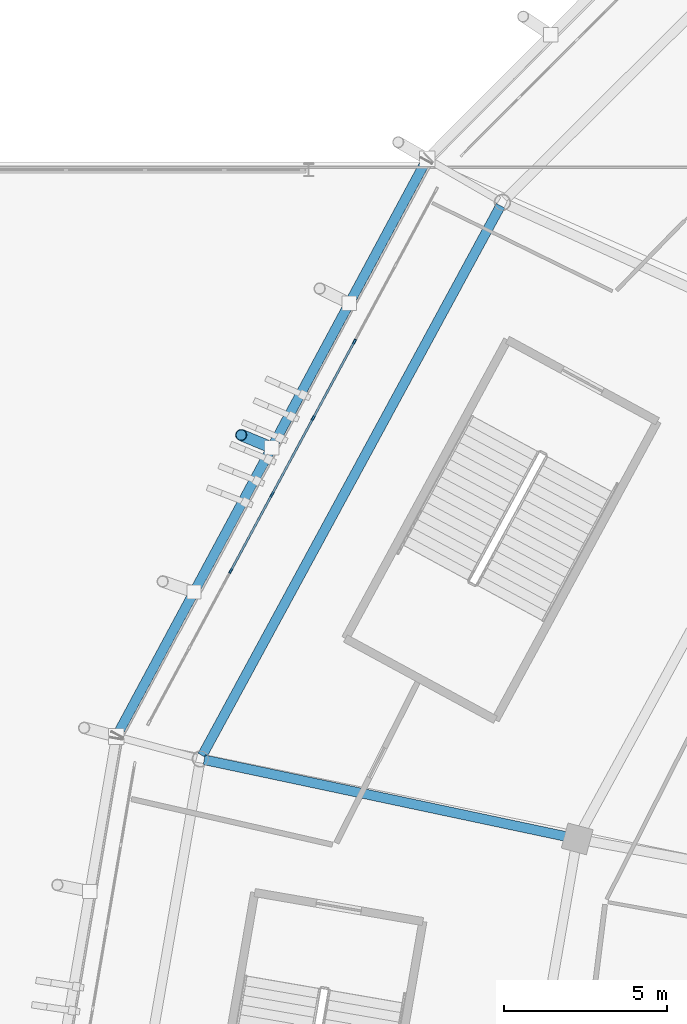
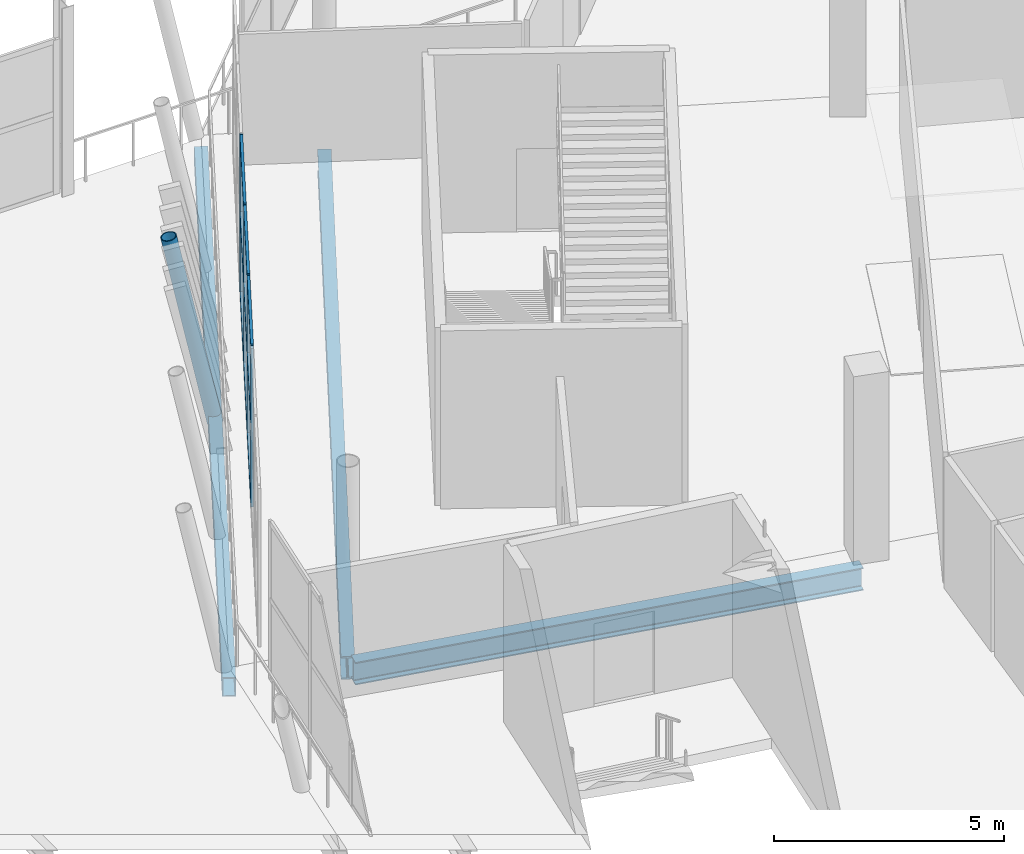
# One storey, part 44 of 179: 14 members, 3 beams, 1 element without a shape of its own.
"""IFC4 building model written with IfcOpenShell, lengths in metres."""

from ifc_helpers import new_model, si_unit, direction, frame, origin, origin_2d, place, context, subcontext, project, spatial, rectangle, hollow_rectangle, hollow_circle, i_section, extrude, material, material_profile, profile_set, type_object, element, aggregate, save


model = new_model("IFC4")

# Units and contexts
model_context = context("Model", 3, precision=1e-05, world=origin(), true_north=direction((0.0, 1.0)))
body_context = subcontext(model_context, "Body", "Model", "MODEL_VIEW")
ifc_project = project(units=[si_unit("LENGTHUNIT", "METRE"), si_unit("AREAUNIT", "SQUARE_METRE"), si_unit("VOLUMEUNIT", "CUBIC_METRE"), si_unit("PLANEANGLEUNIT", "RADIAN"), si_unit("MASSUNIT", "GRAM", prefix="KILO")], contexts=[model_context])

# Site, building, storey
site_placement = place(None, origin())
site = spatial("IfcSite", under=ifc_project, at=site_placement, CompositionType="ELEMENT")
building_placement = place(site_placement, origin())
building = spatial("IfcBuilding", under=site, at=building_placement, Name="Zlatoyarsky Gate Stadium", CompositionType="ELEMENT")
storey_placement = place(building_placement, frame((0.0, 0.0, 10.60009765625)))
storey = spatial("IfcBuildingStorey", under=building, at=storey_placement, Name="L02", CompositionType="ELEMENT", Elevation=10.60009765625)

# Curtain wall, members
ifc_material_1 = material(Name="Thermally broken anodised aluminium curtain wall", Category="aluminium")
curtain_wall_type = type_object("IfcCurtainWallType", Name="UNITISED HOSPITALITY GLAZING L02", PredefinedType="USERDEFINED", material=ifc_material_1)
curtain_wall_placement = place(storey_placement, origin())
curtain_wall = element("IfcCurtainWall", 1, at=curtain_wall_placement, inside=storey, type_object=curtain_wall_type, Name="Curtain wall CW-L02-10", ObjectType="UNITISED GLAZING", PredefinedType="USERDEFINED")
ifc_material_2 = material(Name="Anodised aluminium 6063-T6", Category="aluminium")
ifc_material_profile_1 = material_profile(ifc_material_2, rectangle(XDim=0.06494140625, YDim=0.159912109375, at=origin_2d()), Name="ALU 65X160")
ifc_profile_set_1 = profile_set([ifc_material_profile_1], Name="Anodised aluminium 6063-T6")
member_type_1 = type_object("IfcMemberType", Name="ALUMINIUM MULLION 65X160", PredefinedType="MULLION", material=ifc_profile_set_1)
member_1_placement = place(storey_placement, frame((25.905517578125, 111.214111328125, 0.0), z_axis=(0.0, 0.0, 1.0), x_axis=(0.880235853856, -0.474536449165, 0.0)))
member_1 = element("IfcMember", 2, at=member_1_placement, type_object=member_type_1, Name="CW-UG2 mullion 3", PredefinedType="MULLION", context=body_context, shape_type="SweptSolid", body=[
    extrude(rectangle(XDim=0.06494140625, YDim=0.159912109375, at=origin_2d()), origin(), (0.0, 0.0, 1.0), 4.199951171875),
])
member_2_placement = place(storey_placement, frame((24.63818359375, 108.86328125, 0.0), z_axis=(0.0, 0.0, 1.0), x_axis=(0.880235853856, -0.474536449165, 0.0)))
member_2 = element("IfcMember", 3, at=member_2_placement, type_object=member_type_1, Name="CW-UG2 mullion 4", PredefinedType="MULLION", context=body_context, shape_type="SweptSolid", body=[
    extrude(rectangle(XDim=0.06494140625, YDim=0.159912109375, at=origin_2d()), origin(), (0.0, 0.0, 1.0), 4.199951171875),
])
member_3_placement = place(storey_placement, frame((23.370849609375, 106.51220703125, 0.0), z_axis=(0.0, 0.0, 1.0), x_axis=(0.880235853856, -0.474536449165, 0.0)))
member_3 = element("IfcMember", 4, at=member_3_placement, type_object=member_type_1, Name="CW-UG2 mullion 5", PredefinedType="MULLION", context=body_context, shape_type="SweptSolid", body=[
    extrude(rectangle(XDim=0.06494140625, YDim=0.159912109375, at=origin_2d()), origin(), (0.0, 0.0, 1.0), 4.199951171875),
])
member_4_placement = place(storey_placement, frame((22.103271484375, 104.161376953125, 0.0), z_axis=(0.0, 0.0, 1.0), x_axis=(0.880235853856, -0.474536449165, 0.0)))
member_4 = element("IfcMember", 5, at=member_4_placement, type_object=member_type_1, Name="CW-UG2 mullion 6", PredefinedType="MULLION", context=body_context, shape_type="SweptSolid", body=[
    extrude(rectangle(XDim=0.06494140625, YDim=0.159912109375, at=origin_2d()), origin(), (0.0, 0.0, 1.0), 4.199951171875),
])
ifc_material_profile_2 = material_profile(ifc_material_2, rectangle(XDim=0.06494140625, YDim=0.139892578125, at=origin_2d()), Name="ALU 65X140")
ifc_profile_set_2 = profile_set([ifc_material_profile_2], Name="Anodised aluminium 6063-T6")
member_type_2 = type_object("IfcMemberType", Name="ALUMINIUM TRANSOM 65X140", PredefinedType="USERDEFINED", material=ifc_profile_set_2)
member_5_placement = place(storey_placement, frame((25.889892578125, 111.185302734375, 0.032470703125), z_axis=(-0.47451326859, -0.880248350145, 0.0), x_axis=(0.880248350145, -0.47451326859, 0.0)))
member_5 = element("IfcMember", 6, at=member_5_placement, type_object=member_type_2, Name="CW-UG2 transom 3.1", ObjectType="TRANSOM", PredefinedType="USERDEFINED", context=body_context, shape_type="SweptSolid", body=[
    extrude(rectangle(XDim=0.06494140625, YDim=0.139892578125, at=origin_2d()), origin(), (0.0, 0.0, 1.0), 2.60546875),
])
member_6_placement = place(storey_placement, frame((25.889892578125, 111.185302734375, 2.14990234375), z_axis=(-0.47451326859, -0.880248350145, 0.0), x_axis=(0.880248350145, -0.47451326859, 0.0)))
member_6 = element("IfcMember", 7, at=member_6_placement, type_object=member_type_2, Name="CW-UG2 transom 3.2", ObjectType="TRANSOM", PredefinedType="USERDEFINED", context=body_context, shape_type="SweptSolid", body=[
    extrude(rectangle(XDim=0.06494140625, YDim=0.139892578125, at=origin_2d()), origin(), (0.0, 0.0, 1.0), 2.60546875),
])
member_7_placement = place(storey_placement, frame((25.889892578125, 111.185302734375, 4.16748046875), z_axis=(-0.47451326859, -0.880248350145, 0.0), x_axis=(0.880248350145, -0.47451326859, 0.0)))
member_7 = element("IfcMember", 8, at=member_7_placement, type_object=member_type_2, Name="CW-UG2 transom 3.3", ObjectType="TRANSOM", PredefinedType="USERDEFINED", context=body_context, shape_type="SweptSolid", body=[
    extrude(rectangle(XDim=0.06494140625, YDim=0.139892578125, at=origin_2d()), origin(), (0.0, 0.0, 1.0), 2.60546875),
])
member_8_placement = place(storey_placement, frame((24.62255859375, 108.83447265625, 0.032470703125), z_axis=(-0.47451326859, -0.880248350145, 0.0), x_axis=(0.880248350145, -0.47451326859, 0.0)))
member_8 = element("IfcMember", 9, at=member_8_placement, type_object=member_type_2, Name="CW-UG2 transom 4.1", ObjectType="TRANSOM", PredefinedType="USERDEFINED", context=body_context, shape_type="SweptSolid", body=[
    extrude(rectangle(XDim=0.06494140625, YDim=0.139892578125, at=origin_2d()), origin(), (0.0, 0.0, 1.0), 2.60546875),
])
member_9_placement = place(storey_placement, frame((24.62255859375, 108.83447265625, 2.14990234375), z_axis=(-0.47451326859, -0.880248350145, 0.0), x_axis=(0.880248350145, -0.47451326859, 0.0)))
member_9 = element("IfcMember", 10, at=member_9_placement, type_object=member_type_2, Name="CW-UG2 transom 4.2", ObjectType="TRANSOM", PredefinedType="USERDEFINED", context=body_context, shape_type="SweptSolid", body=[
    extrude(rectangle(XDim=0.06494140625, YDim=0.139892578125, at=origin_2d()), origin(), (0.0, 0.0, 1.0), 2.60546875),
])
member_10_placement = place(storey_placement, frame((24.62255859375, 108.83447265625, 4.16748046875), z_axis=(-0.47451326859, -0.880248350145, 0.0), x_axis=(0.880248350145, -0.47451326859, 0.0)))
member_10 = element("IfcMember", 11, at=member_10_placement, type_object=member_type_2, Name="CW-UG2 transom 4.3", ObjectType="TRANSOM", PredefinedType="USERDEFINED", context=body_context, shape_type="SweptSolid", body=[
    extrude(rectangle(XDim=0.06494140625, YDim=0.139892578125, at=origin_2d()), origin(), (0.0, 0.0, 1.0), 2.60546875),
])
member_11_placement = place(storey_placement, frame((23.355224609375, 106.483642578125, 0.032470703125), z_axis=(-0.47451326859, -0.880248350145, 0.0), x_axis=(0.880248350145, -0.47451326859, 0.0)))
member_11 = element("IfcMember", 12, at=member_11_placement, type_object=member_type_2, Name="CW-UG2 transom 5.1", ObjectType="TRANSOM", PredefinedType="USERDEFINED", context=body_context, shape_type="SweptSolid", body=[
    extrude(rectangle(XDim=0.06494140625, YDim=0.139892578125, at=origin_2d()), origin(), (0.0, 0.0, 1.0), 2.60546875),
])
member_12_placement = place(storey_placement, frame((23.355224609375, 106.483642578125, 2.14990234375), z_axis=(-0.47451326859, -0.880248350145, 0.0), x_axis=(0.880248350145, -0.47451326859, 0.0)))
member_12 = element("IfcMember", 13, at=member_12_placement, type_object=member_type_2, Name="CW-UG2 transom 5.2", ObjectType="TRANSOM", PredefinedType="USERDEFINED", context=body_context, shape_type="SweptSolid", body=[
    extrude(rectangle(XDim=0.06494140625, YDim=0.139892578125, at=origin_2d()), origin(), (0.0, 0.0, 1.0), 2.60546875),
])
member_13_placement = place(storey_placement, frame((23.355224609375, 106.483642578125, 4.16748046875), z_axis=(-0.47451326859, -0.880248350145, 0.0), x_axis=(0.880248350145, -0.47451326859, 0.0)))
member_13 = element("IfcMember", 14, at=member_13_placement, type_object=member_type_2, Name="CW-UG2 transom 5.3", ObjectType="TRANSOM", PredefinedType="USERDEFINED", context=body_context, shape_type="SweptSolid", body=[
    extrude(rectangle(XDim=0.06494140625, YDim=0.139892578125, at=origin_2d()), origin(), (0.0, 0.0, 1.0), 2.60546875),
])
aggregate(curtain_wall, [member_1, member_2, member_3, member_4, member_5, member_6, member_7, member_8, member_9, member_10, member_11, member_12, member_13])

# Member
ifc_material_3 = material(Name="Steel S355", Category="steel")
ifc_material_profile_3 = material_profile(ifc_material_3, hollow_circle(Radius=0.177734375, WallThickness=0.02001953125, at=origin_2d()), Name="CHS 355.6X20")
ifc_profile_set_3 = profile_set([ifc_material_profile_3], Name="Steel S355")
member_type_3 = type_object("IfcMemberType", Name="STEEL LEANING RIB RING STRUT CHS 355.6X20", PredefinedType="STRUT", material=ifc_profile_set_3)
member_14_placement = place(storey_placement, frame((23.36328125, 107.953369140625, -0.530029296875), z_axis=(-0.184259506666, 0.076316258928, 0.979910334075), x_axis=(-0.382655494937, -0.923891104078, 0.0)))
element("IfcMember", 15, at=member_14_placement, inside=storey, type_object=member_type_3, Name="Outward-leaning bowl louvre fin rib L02 10-2", PredefinedType="STRUT", context=body_context, shape_type="SweptSolid", body=[
    extrude(hollow_circle(Radius=0.177734375, WallThickness=0.02001953125, at=origin_2d()), origin(), (0.0, 0.0, 1.0), 5.1025390625),
])

# Beams
ifc_material_profile_4 = material_profile(ifc_material_3, hollow_rectangle(XDim=0.300048828125, YDim=0.5, WallThickness=0.02001953125, at=origin_2d()), Name="RHS 500X300X20")
ifc_profile_set_4 = profile_set([ifc_material_profile_4], Name="Steel S355")
beam_type_1 = type_object("IfcBeamType", Name="STEEL LOUVRE CARRIER SPANDREL RHS 500X300X20", PredefinedType="SPANDREL", material=ifc_profile_set_4)
beam_1_placement = place(storey_placement, frame((28.1328125, 116.8203125, -0.530029296875), z_axis=(-0.473711528738, -0.880680071048, 0.0), x_axis=(0.880680071048, -0.473711528738, 0.0)))
element("IfcBeam", 16, at=beam_1_placement, inside=storey, type_object=beam_type_1, Name="Beam SP-RHS500 BM-L02-SPD-10", PredefinedType="SPANDREL", context=body_context, shape_type="SweptSolid", body=[
    extrude(hollow_rectangle(XDim=0.300048828125, YDim=0.5, WallThickness=0.02001953125, at=origin_2d()), origin(), (0.0, 0.0, 1.0), 20.136962890625),
])
ifc_material_profile_5 = material_profile(ifc_material_3, i_section(OverallWidth=0.300048828125, OverallDepth=0.60009765625, WebThickness=0.015380859375, FlangeThickness=0.030029296875, FilletRadius=0.027099609375, at=origin_2d()), Name="HEB 600")
ifc_profile_set_5 = profile_set([ifc_material_profile_5], Name="Steel S355")
beam_type_2 = type_object("IfcBeamType", Name="STEEL PRIMARY GIRDER HEB 600", PredefinedType="BEAM", material=ifc_profile_set_5)
beam_2_placement = place(storey_placement, frame((30.40234375, 115.39453125, -0.580078125), z_axis=(-0.476891650323, -0.878962088973, 0.0), x_axis=(0.878962088973, -0.476891650323, 0.0)))
element("IfcBeam", 17, at=beam_2_placement, inside=storey, type_object=beam_type_2, Name="Beam G-HEB600 BM-L02-CRC-10", PredefinedType="BEAM", context=body_context, shape_type="SweptSolid", body=[
    extrude(i_section(OverallWidth=0.300048828125, OverallDepth=0.60009765625, WebThickness=0.015380859375, FlangeThickness=0.030029296875, FilletRadius=0.027099609375, at=origin_2d()), origin(), (0.0, 0.0, 1.0), 19.241943359375),
])
beam_3_placement = place(storey_placement, frame((32.642578125, 95.9423828125, -0.580078125), z_axis=(-0.978233348926, 0.207507867438, 0.0), x_axis=(-0.207507867438, -0.978233348926, 0.0)))
element("IfcBeam", 18, at=beam_3_placement, inside=storey, type_object=beam_type_2, Name="Beam G-HEB600 BM-L02-RBC-11", PredefinedType="BEAM", context=body_context, shape_type="SweptSolid", body=[
    extrude(i_section(OverallWidth=0.300048828125, OverallDepth=0.60009765625, WebThickness=0.015380859375, FlangeThickness=0.030029296875, FilletRadius=0.027099609375, at=origin_2d()), origin(), (0.0, 0.0, 1.0), 11.60888671875),
])

save(model, "model.ifc")
